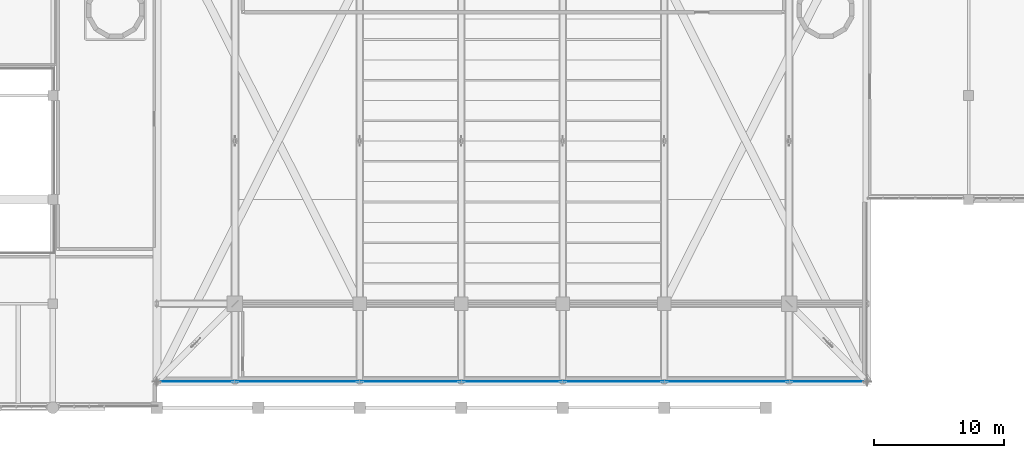
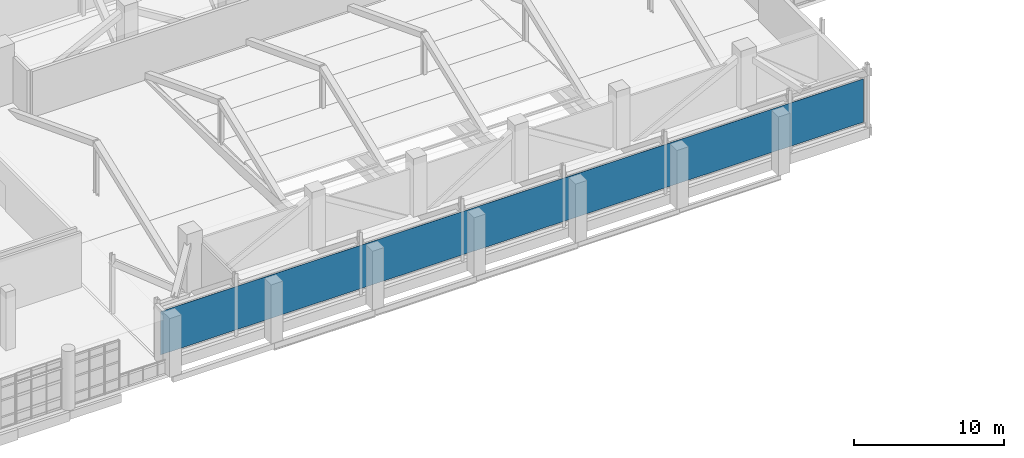
# One storey, part 91 of 127: 1 plate.
"""IFC4 building model written with IfcOpenShell, lengths in metres."""

from ifc_helpers import new_model, si_unit, derived_unit, direction, frame, origin, origin_2d, place, context, subcontext, project, spatial, rectangle, extrude, material, layer, layer_set, type_object, element, save


model = new_model("IFC4")

# Units and contexts
model_context = context("Model", 3, precision=1e-05, world=origin(), true_north=direction((0.0, 1.0)))
body_context = subcontext(model_context, "Body", "Model", "MODEL_VIEW")
ifc_project = project(units=[si_unit("LENGTHUNIT", "METRE"), si_unit("AREAUNIT", "SQUARE_METRE"), si_unit("VOLUMEUNIT", "CUBIC_METRE"), si_unit("PLANEANGLEUNIT", "RADIAN"), si_unit("MASSUNIT", "GRAM", prefix="KILO"), derived_unit("THERMALTRANSMITTANCEUNIT", [(si_unit("POWERUNIT", "WATT"), 1), (si_unit("LENGTHUNIT", "METRE"), -2), (si_unit("THERMODYNAMICTEMPERATUREUNIT", "KELVIN"), -1)])], contexts=[model_context])

# Site, building, storey
site_placement = place(None, origin())
site = spatial("IfcSite", under=ifc_project, at=site_placement, CompositionType="ELEMENT")
building_placement = place(site_placement, origin())
building = spatial("IfcBuilding", under=site, at=building_placement, Name="Nallur Shell Playhouse", CompositionType="ELEMENT")
storey_placement = place(building_placement, frame((0.0, 0.0, 5.39990234375)))
storey = spatial("IfcBuildingStorey", under=building, at=storey_placement, Name="L02", CompositionType="ELEMENT", Elevation=5.39990234375)

# Plate
ifc_material = material(Name="Gold-Anodised Perforated Aluminium Acoustic Cladding", Category="aluminium")
ifc_layer = layer(ifc_material, 0.011962890625)
ifc_layer_set = layer_set([ifc_layer], Name="Gold-Anodised Perforated Aluminium Acoustic Cladding")
plate_type = type_object("IfcPlateType", Name="PT-GOLD-04", PredefinedType="SHEET", material=ifc_layer_set)
plate_placement = place(storey_placement, frame((91.300048828125, 10.02197265625, 0.10009765625), z_axis=(0.0, 0.0, 1.0), x_axis=(-1.0, 0.0, 0.0)))
element("IfcPlate", 1, at=plate_placement, inside=storey, type_object=plate_type, Name="Gold-anodised perforated aluminium cladding GC-004", PredefinedType="SHEET", context=body_context, shape_type="SweptSolid", body=[
    extrude(rectangle(XDim=54.030029296875, YDim=0.02001953125, at=origin_2d()), origin(), (0.0, 0.0, 1.0), 3.52490234375),
])

save(model, "model.ifc")
